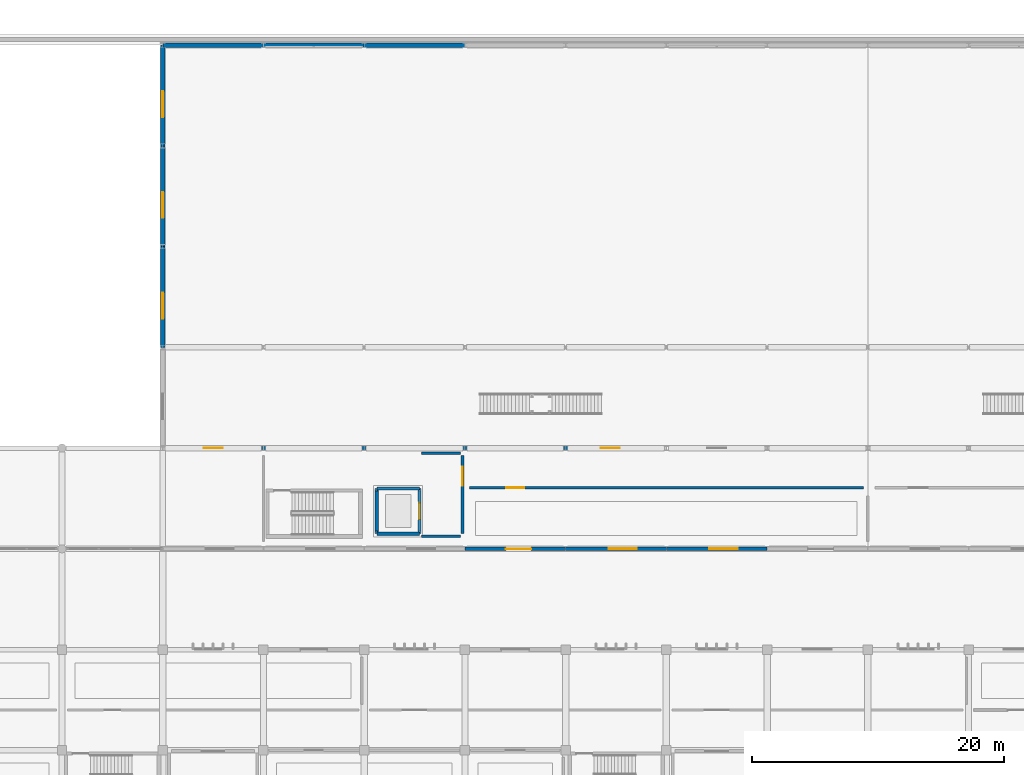
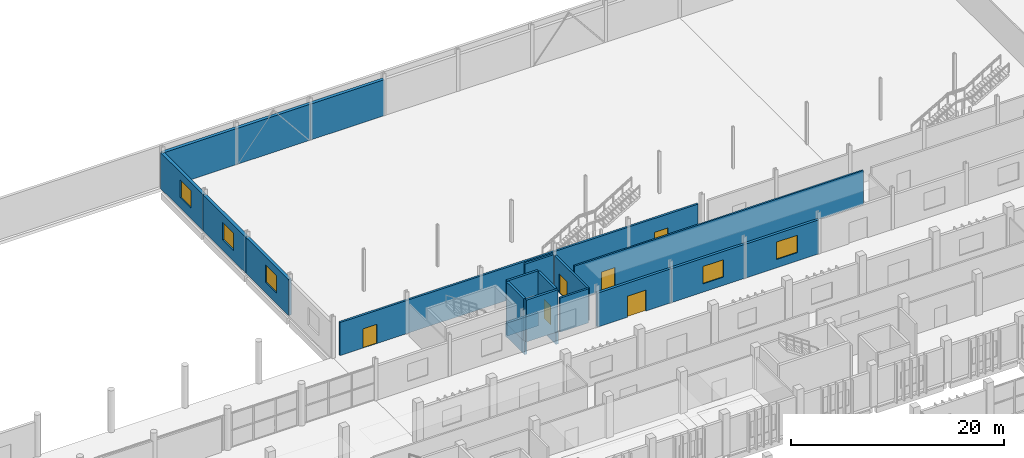
# One storey, part 91 of 117: 21 walls, 6 doors, 5 windows, 11 openings.
"""IFC4 building model written with IfcOpenShell, lengths in metres."""

from ifc_helpers import new_model, si_unit, direction, frame, frame_2d, origin, place, context, subcontext, project, spatial, rectangle, extrude, material, layer, layer_set, type_object, element, fill, save


model = new_model("IFC4")

# Units and contexts
model_context = context("Model", 3, precision=1e-05, world=origin(), true_north=direction((0.0, 1.0)))
body_context = subcontext(model_context, "Body", "Model", "MODEL_VIEW")
ifc_project = project(units=[si_unit("LENGTHUNIT", "METRE"), si_unit("AREAUNIT", "SQUARE_METRE"), si_unit("VOLUMEUNIT", "CUBIC_METRE"), si_unit("PLANEANGLEUNIT", "RADIAN"), si_unit("MASSUNIT", "GRAM", prefix="KILO")], contexts=[model_context])

# Site, building, storey
site_placement = place(None, origin())
site = spatial("IfcSite", under=ifc_project, at=site_placement, CompositionType="ELEMENT")
building_placement = place(site_placement, origin())
building = spatial("IfcBuilding", under=site, at=building_placement, Name="Jelvoka-Kovrelna Polytechnic", CompositionType="ELEMENT")
storey_placement = place(building_placement, origin())
storey = spatial("IfcBuildingStorey", under=building, at=storey_placement, Name="L01", CompositionType="ELEMENT", Elevation=0.0)

# Walls
ifc_material_1 = material(Name="Concrete C35/45", Category="concrete")
ifc_layer_1 = layer(ifc_material_1, 0.219970703125)
ifc_layer_set_1 = layer_set([ifc_layer_1], Name="Concrete C35/45")
wall_type_1 = type_object("IfcWallType", Name="Wall_Compartment_220", PredefinedType="PARTITIONING", material=ifc_layer_set_1)
wall_1_placement = place(storey_placement, frame((108.550048828125, 81.0, 0.0), z_axis=(0.0, 0.0, 1.0), x_axis=(1.0, 0.0, 0.0)))
element("IfcWall", 1, at=wall_1_placement, inside=storey, type_object=wall_type_1, Name="L01 interior wall 0610", PredefinedType="PARTITIONING", context=body_context, shape_type="SweptSolid", body=[
    extrude(rectangle(XDim=3.099853515625, YDim=0.219970703125, at=frame_2d((1.5498046875, 0.0))), origin(), (0.0, 0.0, 1.0), 3.89990234375),
])
wall_2_placement = place(storey_placement, frame((108.550048828125, 87.60009765625, 0.0), z_axis=(0.0, 0.0, 1.0), x_axis=(1.0, 0.0, 0.0)))
element("IfcWall", 2, at=wall_2_placement, inside=storey, type_object=wall_type_1, Name="L01 interior wall 0611", PredefinedType="PARTITIONING", context=body_context, shape_type="SweptSolid", body=[
    extrude(rectangle(XDim=3.099853515625, YDim=0.219970703125, at=frame_2d((1.5498046875, 0.0))), origin(), (0.0, 0.0, 1.0), 3.794921875),
])

# Wall, opening, door
wall_3_placement = place(storey_placement, frame((111.800048828125, 81.199951171875, 0.0), z_axis=(0.0, 0.0, 1.0), x_axis=(0.0, 1.0, 0.0)))
wall_3 = element("IfcWall", 3, at=wall_3_placement, inside=storey, type_object=wall_type_1, Name="L01 interior wall 0612", PredefinedType="PARTITIONING", context=body_context, shape_type="SweptSolid", body=[
    extrude(rectangle(XDim=6.199951171875, YDim=0.219970703125, at=frame_2d((3.10009765625, 0.0))), origin(), (0.0, 0.0, 1.0), 3.7451171875),
])
opening_1_placement = place(wall_3_placement, frame((3.800048828125, 0.0, 0.0)))
opening_1 = element("IfcOpeningElement", 4, at=opening_1_placement, cuts=wall_3, Name="Opening FD-L01-107", PredefinedType="OPENING", context=body_context, shape_type="SweptSolid", body=[
    extrude(rectangle(XDim=1.5, YDim=2.199951171875, at=frame_2d((0.75, 1.10009765625))), frame((0.0, 0.119873046875, 0.0), z_axis=(0.0, -1.0, 0.0), x_axis=(1.0, 0.0, 0.0)), (0.0, 0.0, 1.0), 0.239990234375),
])
ifc_material_2 = material(Name="Paired steel stair lobby fire door", Category="steel")
door_type_1 = type_object("IfcDoorType", Name="Door_Fire_FD04", OperationType="NOTDEFINED", PredefinedType="DOOR", material=ifc_material_2)
door_1_placement = place(opening_1_placement, origin())
door_1 = element("IfcDoor", 5, at=door_1_placement, inside=storey, type_object=door_type_1, Name="L01 interior door FD-L01-107", OperationType="DOUBLE_DOOR_SINGLE_SWING", OverallHeight=2.199951171875, OverallWidth=1.5, PredefinedType="DOOR", context=body_context, shape_type="SweptSolid", body=[
    extrude(rectangle(XDim=1.5, YDim=2.199951171875, at=frame_2d((0.75, 1.10009765625))), frame((0.0, 0.02490234375, 0.0), z_axis=(0.0, -1.0, 0.0), x_axis=(1.0, 0.0, 0.0)), (0.0, 0.0, 1.0), 0.050048828125),
])
fill(opening_1, door_1)

# Wall, openings, doors
wall_4_placement = place(storey_placement, frame((88.75, 88.0, 0.0), z_axis=(0.0, 0.0, 1.0), x_axis=(1.0, 0.0, 0.0)))
wall_4 = element("IfcWall", 6, at=wall_4_placement, inside=storey, type_object=wall_type_1, Name="L01 interior wall 0909", PredefinedType="PARTITIONING", context=body_context, shape_type="SweptSolid", body=[
    extrude(rectangle(XDim=38.800048828125, YDim=0.219970703125, at=frame_2d((19.39990234375, 0.0))), origin(), (0.0, 0.0, 1.0), 3.794921875),
])
opening_2_placement = place(wall_4_placement, frame((2.5, 0.0, 0.0)))
opening_2 = element("IfcOpeningElement", 7, at=opening_2_placement, cuts=wall_4, Name="Opening D-L01-194", PredefinedType="OPENING", context=body_context, shape_type="SweptSolid", body=[
    extrude(rectangle(XDim=1.5, YDim=2.199951171875, at=frame_2d((0.75, 1.10009765625))), frame((0.0, 0.119873046875, 0.0), z_axis=(0.0, -1.0, 0.0), x_axis=(1.0, 0.0, 0.0)), (0.0, 0.0, 1.0), 0.239990234375),
])
opening_3_placement = place(wall_4_placement, frame((34.050048828125, 0.0, 0.0)))
opening_3 = element("IfcOpeningElement", 8, at=opening_3_placement, cuts=wall_4, Name="Opening D-L01-195", PredefinedType="OPENING", context=body_context, shape_type="SweptSolid", body=[
    extrude(rectangle(XDim=1.5, YDim=2.199951171875, at=frame_2d((0.75, 1.10009765625))), frame((0.0, 0.119873046875, 0.0), z_axis=(0.0, -1.0, 0.0), x_axis=(1.0, 0.0, 0.0)), (0.0, 0.0, 1.0), 0.239990234375),
])
door_2_placement = place(opening_2_placement, origin())
door_2 = element("IfcDoor", 9, at=door_2_placement, inside=storey, type_object=door_type_1, Name="L01 interior door D-L01-194", OperationType="DOUBLE_DOOR_SINGLE_SWING", OverallHeight=2.199951171875, OverallWidth=1.5, PredefinedType="DOOR", context=body_context, shape_type="SweptSolid", body=[
    extrude(rectangle(XDim=1.5, YDim=2.199951171875, at=frame_2d((0.75, 1.10009765625))), frame((0.0, 0.02490234375, 0.0), z_axis=(0.0, -1.0, 0.0), x_axis=(1.0, 0.0, 0.0)), (0.0, 0.0, 1.0), 0.050048828125),
])
fill(opening_2, door_2)
door_3_placement = place(opening_3_placement, origin())
door_3 = element("IfcDoor", 10, at=door_3_placement, inside=storey, type_object=door_type_1, Name="L01 interior door D-L01-195", OperationType="DOUBLE_DOOR_SINGLE_SWING", OverallHeight=2.199951171875, OverallWidth=1.5, PredefinedType="DOOR", context=body_context, shape_type="SweptSolid", body=[
    extrude(rectangle(XDim=1.5, YDim=2.199951171875, at=frame_2d((0.75, 1.10009765625))), frame((0.0, 0.02490234375, 0.0), z_axis=(0.0, -1.0, 0.0), x_axis=(1.0, 0.0, 0.0)), (0.0, 0.0, 1.0), 0.050048828125),
])
fill(opening_3, door_3)

# Walls
ifc_material_3 = material(Name="Concrete C40/50", Category="concrete")
ifc_layer_2 = layer(ifc_material_3, 0.25)
ifc_layer_set_2 = layer_set([ifc_layer_2], Name="Concrete C40/50")
wall_type_2 = type_object("IfcWallType", Name="Wall_Core_250", PredefinedType="SOLIDWALL", material=ifc_layer_set_2)
wall_5_placement = place(storey_placement, frame((108.39990234375, 81.199951171875, -1.5), z_axis=(0.0, 0.0, 1.0), x_axis=(0.0, 1.0, 0.0)))
element("IfcWall", 11, at=wall_5_placement, inside=storey, type_object=wall_type_2, Name="L01 interior wall 0603", PredefinedType="SOLIDWALL", context=body_context, shape_type="SweptSolid", body=[
    extrude(rectangle(XDim=3.60009765625, YDim=0.25, at=frame_2d((1.800048828125, 0.0))), origin(), (0.0, 0.0, 1.0), 1.5),
])
wall_6_placement = place(storey_placement, frame((108.39990234375, 84.800048828125, -1.5), z_axis=(0.0, 0.0, 1.0), x_axis=(-1.0, 0.0, 0.0)))
element("IfcWall", 12, at=wall_6_placement, inside=storey, type_object=wall_type_2, Name="L01 interior wall 0604", PredefinedType="SOLIDWALL", context=body_context, shape_type="SweptSolid", body=[
    extrude(rectangle(XDim=3.39990234375, YDim=0.25, at=frame_2d((1.699951171875, 0.0))), origin(), (0.0, 0.0, 1.0), 1.5),
])
wall_7_placement = place(storey_placement, frame((105.0, 84.800048828125, -1.5), z_axis=(0.0, 0.0, 1.0), x_axis=(0.0, -1.0, 0.0)))
element("IfcWall", 13, at=wall_7_placement, inside=storey, type_object=wall_type_2, Name="L01 interior wall 0605", PredefinedType="SOLIDWALL", context=body_context, shape_type="SweptSolid", body=[
    extrude(rectangle(XDim=3.60009765625, YDim=0.25, at=frame_2d((1.800048828125, 0.0))), origin(), (0.0, 0.0, 1.0), 1.5),
])
for number, where, z_axis, x_axis, name in (
    (14, (105.0, 81.199951171875, 0.0), (0.0, 0.0, 1.0), (1.0, 0.0, 0.0), "L01 interior wall 0606"),
    (15, (105.0, 84.800048828125, 0.0), (0.0, 0.0, 1.0), (1.0, 0.0, 0.0), "L01 interior wall 0607"),
):
    element("IfcWall", number, at=place(storey_placement, frame(where, z_axis=z_axis, x_axis=x_axis)), inside=storey, type_object=wall_type_2, Name=name, PredefinedType="SOLIDWALL", context=body_context, shape_type="SweptSolid", body=[
        extrude(rectangle(XDim=3.39990234375, YDim=0.25, at=frame_2d((1.699951171875, 0.0))), origin(), (0.0, 0.0, 1.0), 4.800048828125),
    ])
wall_8_placement = place(storey_placement, frame((105.0, 81.39990234375, 0.0), z_axis=(0.0, 0.0, 1.0), x_axis=(0.0, 1.0, 0.0)))
element("IfcWall", 16, at=wall_8_placement, inside=storey, type_object=wall_type_2, Name="L01 interior wall 0608", PredefinedType="SOLIDWALL", context=body_context, shape_type="SweptSolid", body=[
    extrude(rectangle(XDim=3.2001953125, YDim=0.25, at=frame_2d((1.60009765625, 0.0))), origin(), (0.0, 0.0, 1.0), 4.800048828125),
])

# Wall, opening, door
wall_9_placement = place(storey_placement, frame((108.39990234375, 81.39990234375, 0.0), z_axis=(0.0, 0.0, 1.0), x_axis=(0.0, 1.0, 0.0)))
wall_9 = element("IfcWall", 17, at=wall_9_placement, inside=storey, type_object=wall_type_2, Name="L01 interior wall 0609", PredefinedType="SOLIDWALL", context=body_context, shape_type="SweptSolid", body=[
    extrude(rectangle(XDim=3.2001953125, YDim=0.25, at=frame_2d((1.60009765625, 0.0))), origin(), (0.0, 0.0, 1.0), 4.800048828125),
])
opening_4_placement = place(wall_9_placement, frame((0.949951171875, 0.0, 0.0)))
opening_4 = element("IfcOpeningElement", 18, at=opening_4_placement, cuts=wall_9, Name="Opening LD-L01-44", PredefinedType="OPENING", context=body_context, shape_type="SweptSolid", body=[
    extrude(rectangle(XDim=1.300048828125, YDim=2.199951171875, at=frame_2d((0.64990234375, 1.10009765625))), frame((0.0, 0.135009765625, 0.0), z_axis=(0.0, -1.0, 0.0), x_axis=(1.0, 0.0, 0.0)), (0.0, 0.0, 1.0), 0.27001953125),
])
ifc_material_4 = material(Name="Heavy-duty stainless goods lift landing door", Category="wood")
door_type_2 = type_object("IfcDoorType", Name="Door_Lift_LD02", OperationType="NOTDEFINED", PredefinedType="DOOR", material=ifc_material_4)
door_4_placement = place(opening_4_placement, origin())
door_4 = element("IfcDoor", 19, at=door_4_placement, inside=storey, type_object=door_type_2, Name="L01 lift landing sliding door LD-L01-44", OperationType="DOUBLE_DOOR_SLIDING", OverallHeight=2.199951171875, OverallWidth=1.300048828125, PredefinedType="DOOR", context=body_context, shape_type="SweptSolid", body=[
    extrude(rectangle(XDim=1.300048828125, YDim=2.199951171875, at=frame_2d((0.64990234375, 1.10009765625))), frame((0.0, 0.02490234375, 0.0), z_axis=(0.0, -1.0, 0.0), x_axis=(1.0, 0.0, 0.0)), (0.0, 0.0, 1.0), 0.050048828125),
])
fill(opening_4, door_4)

ifc_material_5 = material(Name="Autoclaved aerated concrete blockwork", Category="masonry")
ifc_layer_3 = layer(ifc_material_5, 0.179931640625)
ifc_layer_set_3 = layer_set([ifc_layer_3], Name="Autoclaved aerated concrete blockwork")
wall_type_3 = type_object("IfcWallType", Name="Wall_Corridor_180", PredefinedType="PARTITIONING", material=ifc_layer_set_3)
wall_10_placement = place(storey_placement, frame((112.35009765625, 84.85009765625, 0.0), z_axis=(0.0, 0.0, 1.0), x_axis=(1.0, 0.0, 0.0)))
wall_10 = element("IfcWall", 20, at=wall_10_placement, inside=storey, type_object=wall_type_3, Name="L01 interior wall 0915", PredefinedType="PARTITIONING", context=body_context, shape_type="SweptSolid", body=[
    extrude(rectangle(XDim=31.2998046875, YDim=0.179931640625, at=frame_2d((15.64990234375, 0.0))), origin(), (0.0, 0.0, 1.0), 3.89990234375),
])
opening_5_placement = place(wall_10_placement, frame((2.929931640625, 0.0, 0.0)))
opening_5 = element("IfcOpeningElement", 21, at=opening_5_placement, cuts=wall_10, Name="Opening D-L01-201", PredefinedType="OPENING", context=body_context, shape_type="SweptSolid", body=[
    extrude(rectangle(XDim=1.43994140625, YDim=2.199951171875, at=frame_2d((0.719970703125, 1.10009765625))), frame((0.0, 0.099853515625, 0.0), z_axis=(0.0, -1.0, 0.0), x_axis=(1.0, 0.0, 0.0)), (0.0, 0.0, 1.0), 0.199951171875),
])
ifc_material_6 = material(Name="Paired hardwood fire-resisting lab door", Category="wood")
door_type_3 = type_object("IfcDoorType", Name="Door_Fire_FD30_06", OperationType="NOTDEFINED", PredefinedType="DOOR", material=ifc_material_6)
door_5_placement = place(opening_5_placement, origin())
door_5 = element("IfcDoor", 22, at=door_5_placement, inside=storey, type_object=door_type_3, Name="L01 interior door D-L01-201", OperationType="DOUBLE_DOOR_SINGLE_SWING", OverallHeight=2.199951171875, OverallWidth=1.43994140625, PredefinedType="DOOR", context=body_context, shape_type="SweptSolid", body=[
    extrude(rectangle(XDim=1.43994140625, YDim=2.199951171875, at=frame_2d((0.719970703125, 1.10009765625))), frame((0.0, 0.02490234375, 0.0), z_axis=(0.0, -1.0, 0.0), x_axis=(1.0, 0.0, 0.0)), (0.0, 0.0, 1.0), 0.050048828125),
])
fill(opening_5, door_5)

ifc_material_7 = material(Name="Precast concrete C40/50", Category="concrete")
ifc_layer_4 = layer(ifc_material_7, 0.280029296875)
ifc_layer_set_4 = layer_set([ifc_layer_4], Name="Precast concrete C40/50")
wall_type_4 = type_object("IfcWallType", Name="Wall_Ext_White_280", PredefinedType="STANDARD", material=ifc_layer_set_4)
wall_11_placement = place(storey_placement, frame((119.99609375, 80.0, 0.0), z_axis=(0.0, 0.0, 1.0), x_axis=(-1.0, 0.0, 0.0)))
wall_11 = element("IfcWall", 23, at=wall_11_placement, inside=storey, type_object=wall_type_4, Name="L01 exterior wall 0889", PredefinedType="STANDARD", context=body_context, shape_type="SweptSolid", body=[
    extrude(rectangle(XDim=7.9921875, YDim=0.280029296875, at=frame_2d((3.99609375, 0.0))), origin(), (0.0, 0.0, 1.0), 3.89501953125),
])
opening_6_placement = place(wall_11_placement, frame((2.736083984375, 0.0, 0.0)))
opening_6 = element("IfcOpeningElement", 24, at=opening_6_placement, cuts=wall_11, Name="Opening E-L01-027", PredefinedType="OPENING", context=body_context, shape_type="SweptSolid", body=[
    extrude(rectangle(XDim=2.0, YDim=2.39990234375, at=frame_2d((1.0, 1.199951171875))), frame((0.0, 0.150146484375, 0.0), z_axis=(0.0, -1.0, 0.0), x_axis=(1.0, 0.0, 0.0)), (0.0, 0.0, 1.0), 0.300048828125),
])
ifc_material_8 = material(Name="Powder-coated aluminium and laminated safety glass", Category="aluminium")
door_type_4 = type_object("IfcDoorType", Name="Door_Ext_Exit_2000x2400", OperationType="NOTDEFINED", PredefinedType="DOOR", material=ifc_material_8)
door_6_placement = place(opening_6_placement, origin())
door_6 = element("IfcDoor", 25, at=door_6_placement, inside=storey, type_object=door_type_4, Name="L01 exterior door E-L01-027", OperationType="DOUBLE_DOOR_SINGLE_SWING", OverallHeight=2.39990234375, OverallWidth=2.0, PredefinedType="DOOR", context=body_context, shape_type="SweptSolid", body=[
    extrude(rectangle(XDim=2.0, YDim=2.39990234375, at=frame_2d((1.0, 1.199951171875))), frame((0.0, 0.02490234375, 0.0), z_axis=(0.0, -1.0, 0.0), x_axis=(1.0, 0.0, 0.0)), (0.0, 0.0, 1.0), 0.050048828125),
])
fill(opening_6, door_6)

# Wall, opening, window
wall_12_placement = place(storey_placement, frame((127.99609375, 80.0, 0.0), z_axis=(0.0, 0.0, 1.0), x_axis=(-1.0, 0.0, 0.0)))
wall_12 = element("IfcWall", 26, at=wall_12_placement, inside=storey, type_object=wall_type_4, Name="L01 exterior wall 0890", PredefinedType="STANDARD", context=body_context, shape_type="SweptSolid", body=[
    extrude(rectangle(XDim=7.9921875, YDim=0.280029296875, at=frame_2d((3.99609375, 0.0))), origin(), (0.0, 0.0, 1.0), 3.89501953125),
])
opening_7_placement = place(wall_12_placement, frame((2.3359375, 0.0, 0.949951171875)))
opening_7 = element("IfcOpeningElement", 27, at=opening_7_placement, cuts=wall_12, Name="Opening W-L01-507", PredefinedType="OPENING", context=body_context, shape_type="SweptSolid", body=[
    extrude(rectangle(XDim=2.25, YDim=2.0, at=frame_2d((1.125, 1.0))), frame((0.0, 0.150146484375, 0.0), z_axis=(0.0, -1.0, 0.0), x_axis=(1.0, 0.0, 0.0)), (0.0, 0.0, 1.0), 0.300048828125),
])
ifc_material_9 = material(Name="Thermally broken anodised aluminium and low-e glazing", Category="aluminium")
window_type_1 = type_object("IfcWindowType", Name="Win_Casement_W57", PartitioningType="DOUBLE_PANEL_VERTICAL", PredefinedType="WINDOW", material=ifc_material_9)
window_1_placement = place(opening_7_placement, origin())
window_1 = element("IfcWindow", 28, at=window_1_placement, inside=storey, type_object=window_type_1, Name="L01 aluminium casement window W-L01-507", OverallHeight=2.0, OverallWidth=2.25, PartitioningType="DOUBLE_PANEL_VERTICAL", PredefinedType="WINDOW", context=body_context, shape_type="SweptSolid", body=[
    extrude(rectangle(XDim=2.25, YDim=2.0, at=frame_2d((1.125, 1.0))), frame((0.0, 0.030029296875, 0.0), z_axis=(0.0, -1.0, 0.0), x_axis=(1.0, 0.0, 0.0)), (0.0, 0.0, 1.0), 0.06005859375),
])
fill(opening_7, window_1)

wall_13_placement = place(storey_placement, frame((135.99609375, 80.0, 0.0), z_axis=(0.0, 0.0, 1.0), x_axis=(-1.0, 0.0, 0.0)))
wall_13 = element("IfcWall", 29, at=wall_13_placement, inside=storey, type_object=wall_type_4, Name="L01 exterior wall 0891", PredefinedType="STANDARD", context=body_context, shape_type="SweptSolid", body=[
    extrude(rectangle(XDim=7.9921875, YDim=0.280029296875, at=frame_2d((3.99609375, 0.0))), origin(), (0.0, 0.0, 1.0), 3.89501953125),
])
opening_8_placement = place(wall_13_placement, frame((2.3359375, 0.0, 0.949951171875)))
opening_8 = element("IfcOpeningElement", 30, at=opening_8_placement, cuts=wall_13, Name="Opening W-L01-508", PredefinedType="OPENING", context=body_context, shape_type="SweptSolid", body=[
    extrude(rectangle(XDim=2.25, YDim=2.0, at=frame_2d((1.125, 1.0))), frame((0.0, 0.150146484375, 0.0), z_axis=(0.0, -1.0, 0.0), x_axis=(1.0, 0.0, 0.0)), (0.0, 0.0, 1.0), 0.300048828125),
])
window_2_placement = place(opening_8_placement, origin())
window_2 = element("IfcWindow", 31, at=window_2_placement, inside=storey, type_object=window_type_1, Name="L01 aluminium casement window W-L01-508", OverallHeight=2.0, OverallWidth=2.25, PartitioningType="DOUBLE_PANEL_VERTICAL", PredefinedType="WINDOW", context=body_context, shape_type="SweptSolid", body=[
    extrude(rectangle(XDim=2.25, YDim=2.0, at=frame_2d((1.125, 1.0))), frame((0.0, 0.030029296875, 0.0), z_axis=(0.0, -1.0, 0.0), x_axis=(1.0, 0.0, 0.0)), (0.0, 0.0, 1.0), 0.06005859375),
])
fill(opening_8, window_2)

# Walls
ifc_material_10 = material(Name="Precast concrete C40/50", Category="concrete")
ifc_layer_5 = layer(ifc_material_10, 0.340087890625)
ifc_layer_set_5 = layer_set([ifc_layer_5], Name="Precast concrete C40/50")
wall_type_5 = type_object("IfcWallType", Name="Wall_Ext_Workshop_340", PredefinedType="STANDARD", material=ifc_layer_set_5)
for number, where, z_axis, x_axis, name in (
    (32, (88.00390625, 120.0, 0.0), (0.0, 0.0, 1.0), (1.0, 0.0, 0.0), "L01 exterior wall 0863"),
    (33, (96.00390625, 120.0, 0.0), (0.0, 0.0, 1.0), (1.0, 0.0, 0.0), "L01 exterior wall 0864"),
    (34, (104.00390625, 120.0, 0.0), (0.0, 0.0, 1.0), (1.0, 0.0, 0.0), "L01 exterior wall 0865"),
):
    element("IfcWall", number, at=place(storey_placement, frame(where, z_axis=z_axis, x_axis=x_axis)), inside=storey, type_object=wall_type_5, Name=name, PredefinedType="STANDARD", context=body_context, shape_type="SweptSolid", body=[
        extrude(rectangle(XDim=7.9921875, YDim=0.340087890625, at=frame_2d((3.99609375, 0.0))), origin(), (0.0, 0.0, 1.0), 4.1201171875),
    ])

# Wall, opening, window
wall_14_placement = place(storey_placement, frame((88.0, 96.00390625, 0.0), z_axis=(0.0, 0.0, 1.0), x_axis=(0.0, 1.0, 0.0)))
wall_14 = element("IfcWall", 35, at=wall_14_placement, inside=storey, type_object=wall_type_5, Name="L01 exterior wall 0883", PredefinedType="STANDARD", context=body_context, shape_type="SweptSolid", body=[
    extrude(rectangle(XDim=7.9921875, YDim=0.340087890625, at=frame_2d((3.99609375, 0.0))), origin(), (0.0, 0.0, 1.0), 4.1201171875),
])
opening_9_placement = place(wall_14_placement, frame((2.27587890625, 0.0, 1.199951171875)))
opening_9 = element("IfcOpeningElement", 36, at=opening_9_placement, cuts=wall_14, Name="Opening W-L01-501", PredefinedType="OPENING", context=body_context, shape_type="SweptSolid", body=[
    extrude(rectangle(XDim=2.050048828125, YDim=2.0, at=frame_2d((1.02490234375, 1.0))), frame((0.0, 0.179931640625, 0.0), z_axis=(0.0, -1.0, 0.0), x_axis=(1.0, 0.0, 0.0)), (0.0, 0.0, 1.0), 0.360107421875),
])
ifc_material_11 = material(Name="Thermally broken anodised aluminium and low-e glazing", Category="aluminium")
window_type_2 = type_object("IfcWindowType", Name="Win_Casement_W56", PartitioningType="DOUBLE_PANEL_VERTICAL", PredefinedType="WINDOW", material=ifc_material_11)
window_3_placement = place(opening_9_placement, origin())
window_3 = element("IfcWindow", 37, at=window_3_placement, inside=storey, type_object=window_type_2, Name="L01 aluminium casement window W-L01-501", OverallHeight=2.0, OverallWidth=2.050048828125, PartitioningType="DOUBLE_PANEL_VERTICAL", PredefinedType="WINDOW", context=body_context, shape_type="SweptSolid", body=[
    extrude(rectangle(XDim=2.050048828125, YDim=2.0, at=frame_2d((1.02490234375, 1.0))), frame((0.0, 0.030029296875, 0.0), z_axis=(0.0, -1.0, 0.0), x_axis=(1.0, 0.0, 0.0)), (0.0, 0.0, 1.0), 0.06005859375),
])
fill(opening_9, window_3)

wall_15_placement = place(storey_placement, frame((88.0, 104.00390625, 0.0), z_axis=(0.0, 0.0, 1.0), x_axis=(0.0, 1.0, 0.0)))
wall_15 = element("IfcWall", 38, at=wall_15_placement, inside=storey, type_object=wall_type_5, Name="L01 exterior wall 0884", PredefinedType="STANDARD", context=body_context, shape_type="SweptSolid", body=[
    extrude(rectangle(XDim=7.9921875, YDim=0.340087890625, at=frame_2d((3.99609375, 0.0))), origin(), (0.0, 0.0, 1.0), 4.1201171875),
])
opening_10_placement = place(wall_15_placement, frame((2.27587890625, 0.0, 1.199951171875)))
opening_10 = element("IfcOpeningElement", 39, at=opening_10_placement, cuts=wall_15, Name="Opening W-L01-502", PredefinedType="OPENING", context=body_context, shape_type="SweptSolid", body=[
    extrude(rectangle(XDim=2.050048828125, YDim=2.0, at=frame_2d((1.02490234375, 1.0))), frame((0.0, 0.179931640625, 0.0), z_axis=(0.0, -1.0, 0.0), x_axis=(1.0, 0.0, 0.0)), (0.0, 0.0, 1.0), 0.360107421875),
])
window_4_placement = place(opening_10_placement, origin())
window_4 = element("IfcWindow", 40, at=window_4_placement, inside=storey, type_object=window_type_2, Name="L01 aluminium casement window W-L01-502", OverallHeight=2.0, OverallWidth=2.050048828125, PartitioningType="DOUBLE_PANEL_VERTICAL", PredefinedType="WINDOW", context=body_context, shape_type="SweptSolid", body=[
    extrude(rectangle(XDim=2.050048828125, YDim=2.0, at=frame_2d((1.02490234375, 1.0))), frame((0.0, 0.030029296875, 0.0), z_axis=(0.0, -1.0, 0.0), x_axis=(1.0, 0.0, 0.0)), (0.0, 0.0, 1.0), 0.06005859375),
])
fill(opening_10, window_4)

wall_16_placement = place(storey_placement, frame((88.0, 112.00390625, 0.0), z_axis=(0.0, 0.0, 1.0), x_axis=(0.0, 1.0, 0.0)))
wall_16 = element("IfcWall", 41, at=wall_16_placement, inside=storey, type_object=wall_type_5, Name="L01 exterior wall 0885", PredefinedType="STANDARD", context=body_context, shape_type="SweptSolid", body=[
    extrude(rectangle(XDim=7.9921875, YDim=0.340087890625, at=frame_2d((3.99609375, 0.0))), origin(), (0.0, 0.0, 1.0), 4.1201171875),
])
opening_11_placement = place(wall_16_placement, frame((2.27587890625, 0.0, 1.199951171875)))
opening_11 = element("IfcOpeningElement", 42, at=opening_11_placement, cuts=wall_16, Name="Opening W-L01-503", PredefinedType="OPENING", context=body_context, shape_type="SweptSolid", body=[
    extrude(rectangle(XDim=2.050048828125, YDim=2.0, at=frame_2d((1.02490234375, 1.0))), frame((0.0, 0.179931640625, 0.0), z_axis=(0.0, -1.0, 0.0), x_axis=(1.0, 0.0, 0.0)), (0.0, 0.0, 1.0), 0.360107421875),
])
window_5_placement = place(opening_11_placement, origin())
window_5 = element("IfcWindow", 43, at=window_5_placement, inside=storey, type_object=window_type_2, Name="L01 aluminium casement window W-L01-503", OverallHeight=2.0, OverallWidth=2.050048828125, PartitioningType="DOUBLE_PANEL_VERTICAL", PredefinedType="WINDOW", context=body_context, shape_type="SweptSolid", body=[
    extrude(rectangle(XDim=2.050048828125, YDim=2.0, at=frame_2d((1.02490234375, 1.0))), frame((0.0, 0.030029296875, 0.0), z_axis=(0.0, -1.0, 0.0), x_axis=(1.0, 0.0, 0.0)), (0.0, 0.0, 1.0), 0.06005859375),
])
fill(opening_11, window_5)

save(model, "model.ifc")
